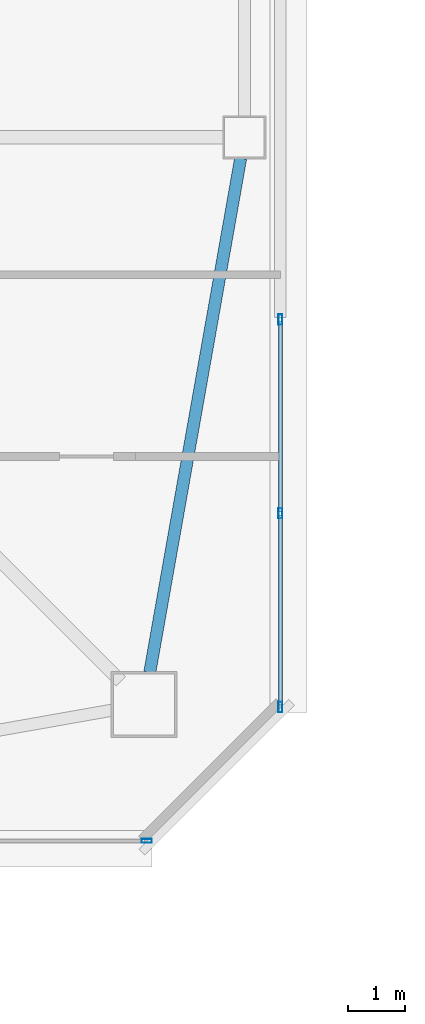
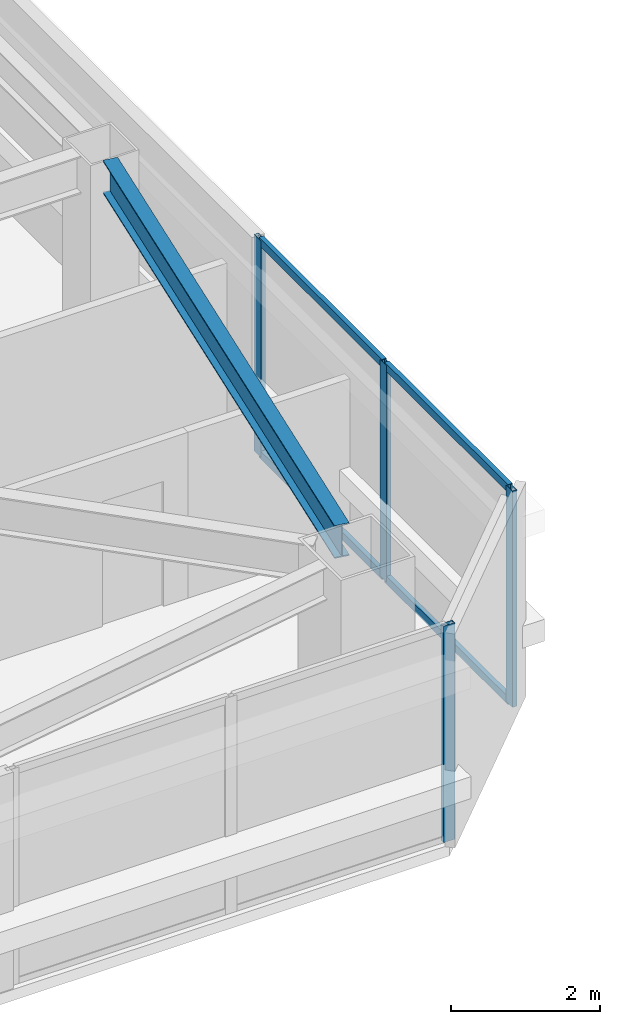
# One storey, part 10 of 43: 8 members, 1 beam, 2 elements without a shape of their own.
"""IFC4 building model written with IfcOpenShell, lengths in metres."""

from ifc_helpers import new_model, si_unit, direction, frame, origin, origin_2d, place, context, subcontext, project, spatial, hollow_rectangle, i_section, extrude, material, material_profile, profile_set, type_object, element, aggregate, save


model = new_model("IFC4")

# Units and contexts
model_context = context("Model", 3, precision=1e-05, world=origin(), true_north=direction((0.0, 1.0)))
body_context = subcontext(model_context, "Body", "Model", "MODEL_VIEW")
ifc_project = project(units=[si_unit("LENGTHUNIT", "METRE"), si_unit("AREAUNIT", "SQUARE_METRE"), si_unit("VOLUMEUNIT", "CUBIC_METRE"), si_unit("PLANEANGLEUNIT", "RADIAN"), si_unit("MASSUNIT", "GRAM", prefix="KILO")], contexts=[model_context])

# Site, building, storey
site_placement = place(None, origin())
site = spatial("IfcSite", under=ifc_project, at=site_placement, CompositionType="ELEMENT")
building_placement = place(site_placement, origin())
building = spatial("IfcBuilding", under=site, at=building_placement, Name="Tashvorn Skyway Center", CompositionType="ELEMENT")
storey_placement = place(building_placement, frame((0.0, 0.0, 185.39990234375)))
storey = spatial("IfcBuildingStorey", under=building, at=storey_placement, Name="L50", CompositionType="ELEMENT", Elevation=185.39990234375)

# Beam
ifc_material_1 = material(Name="Steel ASTM A992 Grade 50", Category="steel")
ifc_material_profile_1 = material_profile(ifc_material_1, i_section(OverallWidth=0.2109375, OverallDepth=0.5390625, WebThickness=0.01171875, FlangeThickness=0.018798828125, at=origin_2d()), Name="W21X73")
ifc_profile_set_1 = profile_set([ifc_material_profile_1], Name="Steel ASTM A992 Grade 50")
beam_type = type_object("IfcBeamType", Name="BM-SPANDREL-W21X73", PredefinedType="SPANDREL", material=ifc_profile_set_1)
beam_placement = place(storey_placement, frame((57.399169921875, 17.26123046875, 3.1005859375), z_axis=(0.174074160933, 0.984732545667, 0.0), x_axis=(-0.984732545667, 0.174074160933, 0.0)))
element("IfcBeam", 1, at=beam_placement, inside=storey, type_object=beam_type, Name="Tower 1 L50 Spandrel Beam 04", PredefinedType="SPANDREL", context=body_context, shape_type="SweptSolid", body=[
    extrude(i_section(OverallWidth=0.2109375, OverallDepth=0.5390625, WebThickness=0.01171875, FlangeThickness=0.018798828125, at=origin_2d()), origin(), (0.0, 0.0, 1.0), 9.113525390625),
])

# Curtain wall, member
ifc_material_2 = material(Name="Thermally broken bronze-anodized aluminium 6063-T6", Category="aluminium")
curtain_wall_type = type_object("IfcCurtainWallType", Name="CW-CW-Z4", PredefinedType="NOTDEFINED", material=ifc_material_2)
curtain_wall_1_placement = place(storey_placement, origin())
curtain_wall_1 = element("IfcCurtainWall", 2, at=curtain_wall_1_placement, inside=storey, type_object=curtain_wall_type, Name="Tower 1 L50 South Unitised Curtain Wall Glazing Group 1", PredefinedType="NOTDEFINED")
ifc_material_profile_2 = material_profile(ifc_material_2, hollow_rectangle(XDim=0.070068359375, YDim=0.179931640625, WallThickness=0.00390625, at=origin_2d()), Name="ALU-MULL-70x180")
ifc_profile_set_2 = profile_set([ifc_material_profile_2], Name="Thermally broken bronze-anodized aluminium 6063-T6")
member_type_1 = type_object("IfcMemberType", Name="CWM-CW-Z4", PredefinedType="MULLION", material=ifc_profile_set_2)
member_1_placement = place(storey_placement, frame((57.344970703125, 14.320068359375, 0.0), z_axis=(0.0, 0.0, 1.0), x_axis=(0.0, -1.0, 0.0)))
member_1 = element("IfcMember", 3, at=member_1_placement, type_object=member_type_1, Name="CW-Z4 mullion 1", PredefinedType="MULLION", context=body_context, shape_type="SweptSolid", body=[
    extrude(hollow_rectangle(XDim=0.070068359375, YDim=0.179931640625, WallThickness=0.00390625, at=origin_2d()), origin(), (0.0, 0.0, 1.0), 3.550048828125),
])
aggregate(curtain_wall_1, [member_1])

# Curtain wall, members
curtain_wall_2_placement = place(storey_placement, origin())
curtain_wall_2 = element("IfcCurtainWall", 4, at=curtain_wall_2_placement, inside=storey, type_object=curtain_wall_type, Name="Tower 1 L50 East Unitised Curtain Wall Glazing Group 3", PredefinedType="NOTDEFINED")
member_2_placement = place(storey_placement, frame((59.679931640625, 23.420654296875, 0.0), z_axis=(0.0, 0.0, 1.0), x_axis=(1.0, 0.0, 0.0)))
member_2 = element("IfcMember", 5, at=member_2_placement, type_object=member_type_1, Name="CW-Z4 mullion 1", PredefinedType="MULLION", context=body_context, shape_type="SweptSolid", body=[
    extrude(hollow_rectangle(XDim=0.070068359375, YDim=0.179931640625, WallThickness=0.00390625, at=origin_2d()), origin(), (0.0, 0.0, 1.0), 3.550048828125),
])
member_3_placement = place(storey_placement, frame((59.679931640625, 20.037841796875, 0.0), z_axis=(0.0, 0.0, 1.0), x_axis=(1.0, 0.0, 0.0)))
member_3 = element("IfcMember", 6, at=member_3_placement, type_object=member_type_1, Name="CW-Z4 mullion 2", PredefinedType="MULLION", context=body_context, shape_type="SweptSolid", body=[
    extrude(hollow_rectangle(XDim=0.070068359375, YDim=0.179931640625, WallThickness=0.00390625, at=origin_2d()), origin(), (0.0, 0.0, 1.0), 3.550048828125),
])
member_4_placement = place(storey_placement, frame((59.679931640625, 16.655029296875, 0.0), z_axis=(0.0, 0.0, 1.0), x_axis=(1.0, 0.0, 0.0)))
member_4 = element("IfcMember", 7, at=member_4_placement, type_object=member_type_1, Name="CW-Z4 mullion 3", PredefinedType="MULLION", context=body_context, shape_type="SweptSolid", body=[
    extrude(hollow_rectangle(XDim=0.070068359375, YDim=0.179931640625, WallThickness=0.00390625, at=origin_2d()), origin(), (0.0, 0.0, 1.0), 3.550048828125),
])
ifc_material_profile_3 = material_profile(ifc_material_2, hollow_rectangle(XDim=0.070068359375, YDim=0.1298828125, WallThickness=0.00390625, at=origin_2d()), Name="ALU-TRAN-70x130")
ifc_profile_set_3 = profile_set([ifc_material_profile_3], Name="Thermally broken bronze-anodized aluminium 6063-T6")
member_type_2 = type_object("IfcMemberType", Name="CWT-CW-Z4", PredefinedType="USERDEFINED", material=ifc_profile_set_3)
member_5_placement = place(storey_placement, frame((59.679931640625, 23.385498046875, 0.03515625), z_axis=(0.0, -1.0, 0.0), x_axis=(1.0, 0.0, 0.0)))
member_5 = element("IfcMember", 8, at=member_5_placement, type_object=member_type_2, Name="CW-Z4 transom 1.1", ObjectType="TRANSOM", PredefinedType="USERDEFINED", context=body_context, shape_type="SweptSolid", body=[
    extrude(hollow_rectangle(XDim=0.070068359375, YDim=0.1298828125, WallThickness=0.00390625, at=origin_2d()), origin(), (0.0, 0.0, 1.0), 3.312744140625),
])
member_6_placement = place(storey_placement, frame((59.679931640625, 23.385498046875, 3.51513671875), z_axis=(0.0, -1.0, 0.0), x_axis=(1.0, 0.0, 0.0)))
member_6 = element("IfcMember", 9, at=member_6_placement, type_object=member_type_2, Name="CW-Z4 transom 1.2", ObjectType="TRANSOM", PredefinedType="USERDEFINED", context=body_context, shape_type="SweptSolid", body=[
    extrude(hollow_rectangle(XDim=0.070068359375, YDim=0.1298828125, WallThickness=0.00390625, at=origin_2d()), origin(), (0.0, 0.0, 1.0), 3.312744140625),
])
member_7_placement = place(storey_placement, frame((59.679931640625, 20.002685546875, 0.03515625), z_axis=(0.0, -1.0, 0.0), x_axis=(1.0, 0.0, 0.0)))
member_7 = element("IfcMember", 10, at=member_7_placement, type_object=member_type_2, Name="CW-Z4 transom 2.1", ObjectType="TRANSOM", PredefinedType="USERDEFINED", context=body_context, shape_type="SweptSolid", body=[
    extrude(hollow_rectangle(XDim=0.070068359375, YDim=0.1298828125, WallThickness=0.00390625, at=origin_2d()), origin(), (0.0, 0.0, 1.0), 3.312744140625),
])
member_8_placement = place(storey_placement, frame((59.679931640625, 20.002685546875, 3.51513671875), z_axis=(0.0, -1.0, 0.0), x_axis=(1.0, 0.0, 0.0)))
member_8 = element("IfcMember", 11, at=member_8_placement, type_object=member_type_2, Name="CW-Z4 transom 2.2", ObjectType="TRANSOM", PredefinedType="USERDEFINED", context=body_context, shape_type="SweptSolid", body=[
    extrude(hollow_rectangle(XDim=0.070068359375, YDim=0.1298828125, WallThickness=0.00390625, at=origin_2d()), origin(), (0.0, 0.0, 1.0), 3.312744140625),
])
aggregate(curtain_wall_2, [member_2, member_3, member_4, member_5, member_6, member_7, member_8])

save(model, "model.ifc")
